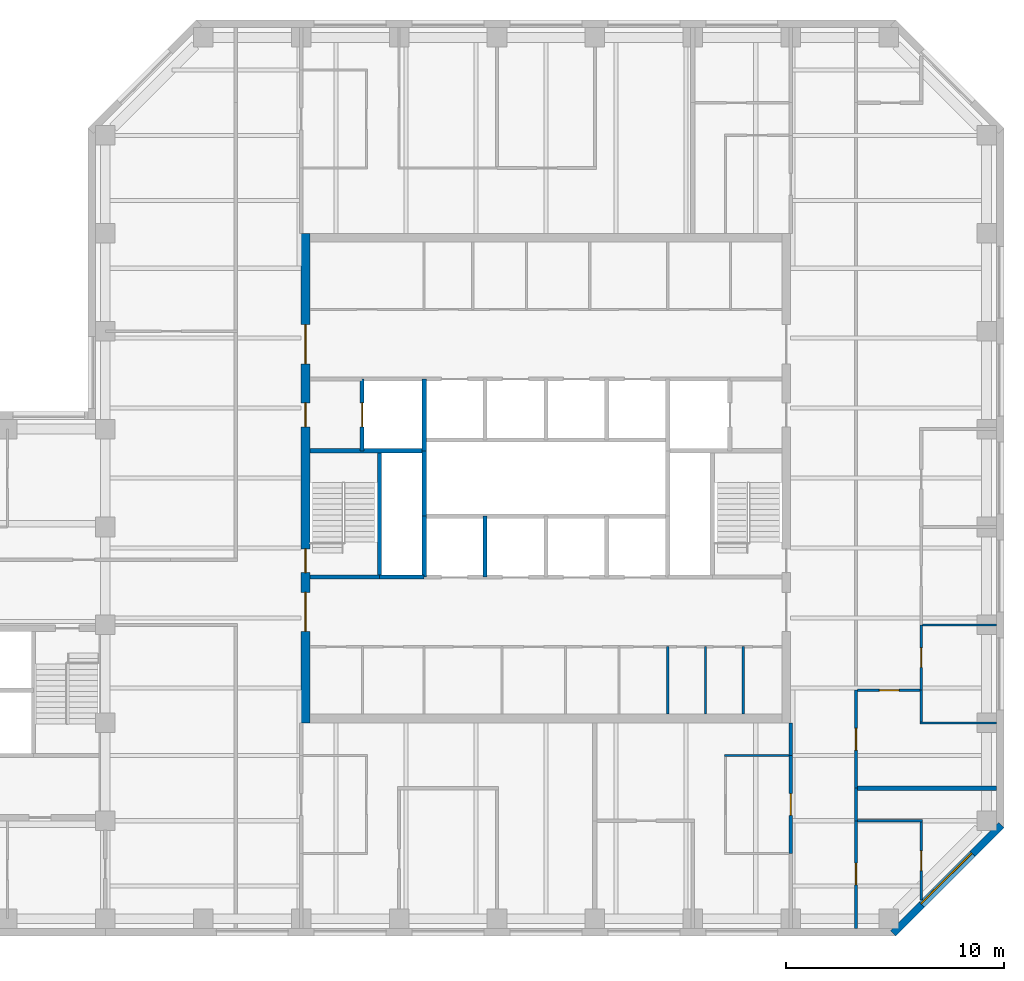
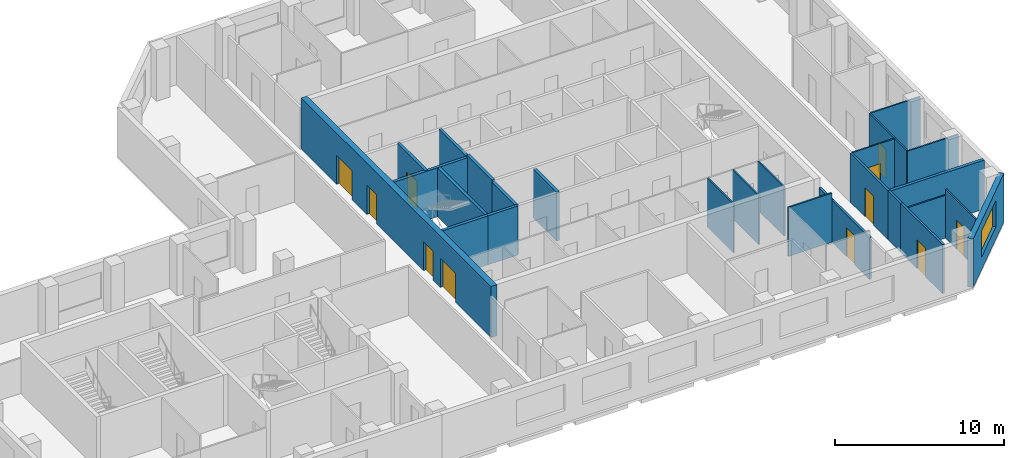
# One storey, part 5 of 9: 28 walls, 11 doors, 1 window, 12 openings.
"""IFC4 building model written with IfcOpenShell, lengths in metres."""

import ifcopenshell
import ifcopenshell.guid

model = None  # the IFC model being written
_history = None  # IfcOwnerHistory: only IFC2X3 demands one
_inside = {}  # id of a spatial element -> (the spatial element, [elements in it])
_under = {}  # id of a project, library or spatial element -> (it, [spatial elements below it])
_declared = {}  # id of a project -> (the project, [libraries it declares])
_typed = {}  # id of a type object -> (the type object, [elements of that type])
_made_of = {}  # id of a material, layer set ... -> (it, [elements and type objects made of it])


def new_model(schema):
    """Start an empty IFC model of exactly this schema.

    Asked for "IFC4X3", IfcOpenShell would pick the latest addendum, in which some entities
    have other attributes; the version numbers below select the first issue.
    IFC2X3 requires an IfcOwnerHistory on every rooted entity: one is made here for all.
    """
    global model, _history
    if schema == "IFC4X3":
        model = ifcopenshell.file(schema_version=(4, 3, 0, 0))
    else:
        model = ifcopenshell.file(schema=schema)
    _inside.clear()
    _under.clear()
    _declared.clear()
    _typed.clear()
    _made_of.clear()
    _history = None
    if model.schema == "IFC2X3":
        org = make("IfcOrganization", Name="unknown")
        user = make(
            "IfcPersonAndOrganization",
            ThePerson=make("IfcPerson", FamilyName="unknown"),
            TheOrganization=org,
        )
        app = make(
            "IfcApplication",
            ApplicationDeveloper=org,
            Version="unknown",
            ApplicationFullName="unknown",
            ApplicationIdentifier="unknown",
        )
        _history = make(
            "IfcOwnerHistory",
            OwningUser=user,
            OwningApplication=app,
            ChangeAction="ADDED",
            CreationDate=0,
        )
    return model


def make(cls, **values):
    """One entity of the class cls with the attributes given. An attribute that is None is left unset."""
    return model.create_entity(
        cls, **{name: value for name, value in values.items() if value is not None}
    )


def rooted(cls, **values):
    """An entity with a GlobalId (a new one), such as an element, a storey or a relation."""
    return make(cls, GlobalId=ifcopenshell.guid.new(), OwnerHistory=_history, **values)


def si_unit(unit_type, name, prefix=None):
    """IfcSIUnit, for example si_unit("LENGTHUNIT", "METRE", prefix="MILLI")."""
    return make("IfcSIUnit", UnitType=unit_type, Prefix=prefix, Name=name)


def assignment(units):
    """IfcUnitAssignment: the units of a project."""
    return None if units is None else make("IfcUnitAssignment", Units=units)


def point(xyz):
    """IfcCartesianPoint."""
    return None if xyz is None else make("IfcCartesianPoint", Coordinates=xyz)


def direction(xyz):
    """IfcDirection."""
    return None if xyz is None else make("IfcDirection", DirectionRatios=xyz)


def frame(location, z_axis=None, x_axis=None):
    """IfcAxis2Placement3D, a coordinate frame: its origin and axes. An axis left out is left unset."""
    return make(
        "IfcAxis2Placement3D",
        Location=point(location),
        Axis=direction(z_axis),
        RefDirection=direction(x_axis),
    )


def frame_2d(location, x_axis=None):
    """IfcAxis2Placement2D, a coordinate frame in the plane: its origin and x axis."""
    return make(
        "IfcAxis2Placement2D", Location=point(location), RefDirection=direction(x_axis)
    )


def origin():
    """The frame at (0, 0, 0) with its axes left unset."""
    return frame((0.0, 0.0, 0.0))


def place(relative_to, where):
    """IfcLocalPlacement: puts the frame where relative to a parent placement (None: the world)."""
    return make(
        "IfcLocalPlacement", PlacementRelTo=relative_to, RelativePlacement=where
    )


def context(
    kind, dimensions, precision=None, world=None, true_north=None, identifier=None
):
    """IfcGeometricRepresentationContext, for example the 3D "Model" context."""
    return make(
        "IfcGeometricRepresentationContext",
        ContextIdentifier=identifier,
        ContextType=kind,
        CoordinateSpaceDimension=dimensions,
        Precision=precision,
        WorldCoordinateSystem=world,
        TrueNorth=true_north,
    )


def subcontext(parent, identifier, kind, view, scale=None):
    """IfcGeometricRepresentationSubContext, for example "Body" below "Model"."""
    return make(
        "IfcGeometricRepresentationSubContext",
        ContextIdentifier=identifier,
        ContextType=kind,
        ParentContext=parent,
        TargetScale=scale,
        TargetView=view,
    )


def project(units=None, contexts=None):
    """IfcProject with its units and contexts."""
    return rooted(
        "IfcProject",
        Name="project",
        RepresentationContexts=contexts,
        UnitsInContext=assignment(units),
    )


def spatial(cls, under=None, at=None, **own):
    """A site, building, storey or space (cls), placed at a placement, below another one or the project."""
    s = rooted(cls, ObjectPlacement=at, **own)
    if under is not None:
        _under.setdefault(under.id(), (under, []))[1].append(s)
    return s


def profile(cls, at=None, kind="AREA", **sizes):
    """A parametric profile (cls). Its sizes go by their IFC names, for example OverallWidth=200.0."""
    return make(cls, ProfileType=kind, Position=at, **sizes)


def rectangle(**sizes):
    """IfcRectangleProfileDef."""
    return profile("IfcRectangleProfileDef", **sizes)


def extrude(swept, where, along, depth):
    """IfcExtrudedAreaSolid: the profile swept, set in the frame where, extruded along a direction by depth."""
    return make(
        "IfcExtrudedAreaSolid",
        SweptArea=swept,
        Position=where,
        ExtrudedDirection=direction(along),
        Depth=depth,
    )


def shape(context_of_items, identifier, shape_type, items):
    """IfcShapeRepresentation: the items that make up one representation, for example the "Body"."""
    return make(
        "IfcShapeRepresentation",
        ContextOfItems=context_of_items,
        RepresentationIdentifier=identifier,
        RepresentationType=shape_type,
        Items=items,
    )


def material(Name=None, Category=None):
    """IfcMaterial."""
    return make("IfcMaterial", Name=Name, Category=Category)


def layer(
    of_material, thickness, ventilated=None, Name=None, Category=None, Priority=None
):
    """IfcMaterialLayer: one layer of a wall or slab, of a material (None: an air gap)."""
    return make(
        "IfcMaterialLayer",
        Material=of_material,
        LayerThickness=thickness,
        IsVentilated=ventilated,
        Name=Name,
        Category=Category,
        Priority=Priority,
    )


def layer_set(layers, Name=None):
    """IfcMaterialLayerSet."""
    return make("IfcMaterialLayerSet", MaterialLayers=layers, LayerSetName=Name)


def constituent(of_material, Name=None, Category=None, fraction=None):
    """IfcMaterialConstituent: one of the materials an element consists of."""
    return make(
        "IfcMaterialConstituent",
        Name=Name,
        Material=of_material,
        Fraction=fraction,
        Category=Category,
    )


def constituent_set(constituents=None, Name=None):
    """IfcMaterialConstituentSet."""
    return make(
        "IfcMaterialConstituentSet", Name=Name, MaterialConstituents=constituents
    )


def made_of(thing, what):
    """Note that an element or type object is made of a material, layer set ...; save() writes the relation."""
    if what is not None:
        _made_of.setdefault(what.id(), (what, []))[1].append(thing)
    return thing


def type_object(cls, material=None, **own):
    """A type object (cls), such as IfcWallType, which elements share."""
    return made_of(rooted(cls, **own), material)


def element(
    cls,
    number,
    at=None,
    inside=None,
    cuts=None,
    type_object=None,
    material=None,
    context=None,
    identifier="Body",
    shape_type=None,
    held_by="IfcProductDefinitionShape",
    body=None,
    shapes=None,
    **own,
):
    """One element of the class cls, such as IfcWall. Its Tag is "e" and its number.

    at: its placement. inside: the storey or other place that contains it. cuts: it is an
    opening in that element (IfcRelVoidsElement). A single representation is given by context,
    identifier, shape_type and body (its items); several are given by shapes. held_by: the class
    of the entity that holds the representations. save() writes the other relations.
    """
    e = rooted(cls, Tag="e%d" % number, ObjectPlacement=at, **own)
    if body is not None:
        shapes = [shape(context, identifier, shape_type, body)]
    if shapes is not None:
        e.Representation = make(held_by, Representations=shapes)
    if inside is not None:
        _inside.setdefault(inside.id(), (inside, []))[1].append(e)
    if cuts is not None:
        rooted(
            "IfcRelVoidsElement", RelatingBuildingElement=cuts, RelatedOpeningElement=e
        )
    if type_object is not None:
        _typed.setdefault(type_object.id(), (type_object, []))[1].append(e)
    return made_of(e, material)


def fill(opening, filler):
    """IfcRelFillsElement: the door or window that sits in an opening."""
    return rooted(
        "IfcRelFillsElement",
        RelatingOpeningElement=opening,
        RelatedBuildingElement=filler,
    )


def aggregate(whole, parts):
    """IfcRelAggregates: a whole, such as a stair, and the parts it consists of."""
    return rooted("IfcRelAggregates", RelatingObject=whole, RelatedObjects=parts)


def save(model, path):
    """Write the relations noted so far, then the file.

    IfcRelAggregates (storeys below a building ...), IfcRelContainedInSpatialStructure (elements
    in a storey), IfcRelDefinesByType, IfcRelAssociatesMaterial and IfcRelDeclares: one each for
    every whole, place, type object, material and project.
    """
    for whole, parts in _under.values():
        aggregate(whole, parts)
    for where, things in _inside.values():
        rooted(
            "IfcRelContainedInSpatialStructure",
            RelatedElements=things,
            RelatingStructure=where,
        )
    for kind, things in _typed.values():
        rooted("IfcRelDefinesByType", RelatedObjects=things, RelatingType=kind)
    for what, things in _made_of.values():
        rooted("IfcRelAssociatesMaterial", RelatedObjects=things, RelatingMaterial=what)
    for by, libraries in _declared.values():
        rooted("IfcRelDeclares", RelatingContext=by, RelatedDefinitions=libraries)
    model.write(path)


model = new_model("IFC4")

# Units and contexts
model_context = context("Model", 3, precision=1e-05, world=origin(), true_north=direction((0.0, 1.0)))
body_context = subcontext(model_context, "Body", "Model", "MODEL_VIEW")
ifc_project = project(units=[si_unit("LENGTHUNIT", "METRE"), si_unit("AREAUNIT", "SQUARE_METRE"), si_unit("VOLUMEUNIT", "CUBIC_METRE"), si_unit("PLANEANGLEUNIT", "RADIAN"), si_unit("MASSUNIT", "GRAM", prefix="KILO")], contexts=[model_context])

# Site, building, storey
site_placement = place(None, origin())
site = spatial("IfcSite", under=ifc_project, at=site_placement, CompositionType="ELEMENT")
building_placement = place(site_placement, origin())
building = spatial("IfcBuilding", under=site, at=building_placement, Name="Quoin Convention Tower", CompositionType="ELEMENT")
storey_placement = place(building_placement, frame((0.0, 0.0, 162.5)))
storey = spatial("IfcBuildingStorey", under=building, at=storey_placement, Name="L42", CompositionType="ELEMENT", Elevation=162.5)

# Wall, opening, window
ifc_material_1 = material(Name="Brick masonry", Category="masonry")
ifc_layer_1 = layer(ifc_material_1, 0.35009765625)
ifc_layer_set_1 = layer_set([ifc_layer_1], Name="Brick masonry")
wall_type_1 = type_object("IfcWallType", Name="Brick facade wall", PredefinedType="STANDARD", material=ifc_layer_set_1)
wall_1_placement = place(storey_placement, frame((72.20751953125, 39.82373046875, 0.0), z_axis=(0.0, 0.0, 1.0), x_axis=(0.707106781187, 0.707106781187, 0.0)))
wall_1 = element("IfcWall", 1, at=wall_1_placement, inside=storey, type_object=wall_type_1, Name="fw-L42-72000_40500", PredefinedType="STANDARD", context=body_context, shape_type="SweptSolid", body=[
    extrude(rectangle(XDim=7.02685546875, YDim=0.35009765625, at=frame_2d((3.513427734375, 0.0))), origin(), (0.0, 0.0, 1.0), 3.52490234375),
])
opening_1_placement = place(wall_1_placement, frame((1.86328125, 0.0, 0.89990234375)))
opening_1 = element("IfcOpeningElement", 2, at=opening_1_placement, cuts=wall_1, Name="Opening W-02", PredefinedType="OPENING", context=body_context, shape_type="SweptSolid", body=[
    extrude(rectangle(XDim=3.300048828125, YDim=1.89990234375, at=frame_2d((1.64990234375, 0.949951171875))), frame((0.0, 0.18505859375, 0.0), z_axis=(0.0, -1.0, 0.0), x_axis=(1.0, 0.0, 0.0)), (0.0, 0.0, 1.0), 0.3701171875),
])
ifc_material_2 = material(Name="Aluminium", Category="aluminium")
ifc_constituent_1 = constituent(ifc_material_2, Name="Frame")
ifc_material_3 = material(Name="Insulated glass", Category="glass")
ifc_constituent_2 = constituent(ifc_material_3, Name="Glazing")
ifc_constituent_set = constituent_set(constituents=[ifc_constituent_1, ifc_constituent_2], Name="Aluminium")
window_type = type_object("IfcWindowType", Name="Office window", PartitioningType="DOUBLE_PANEL_VERTICAL", PredefinedType="WINDOW", material=ifc_constituent_set)
window_placement = place(opening_1_placement, origin())
window = element("IfcWindow", 3, at=window_placement, inside=storey, type_object=window_type, Name="win-L42-74692_42308", OverallHeight=1.89990234375, OverallWidth=3.300048828125, PartitioningType="SINGLE_PANEL", PredefinedType="WINDOW", context=body_context, shape_type="SweptSolid", body=[
    extrude(rectangle(XDim=3.300048828125, YDim=1.89990234375, at=frame_2d((1.64990234375, 0.949951171875))), frame((0.0, 0.0849609375, 0.0), z_axis=(0.0, -1.0, 0.0), x_axis=(1.0, 0.0, 0.0)), (0.0, 0.0, 1.0), 0.06005859375),
])
fill(opening_1, window)

# Walls
ifc_material_4 = material(Name="Plasterboard")
ifc_layer_2 = layer(ifc_material_4, 0.012451171875, Name="Finish")
ifc_material_5 = material(Name="Steel stud framing", Category="steel")
ifc_layer_3 = layer(ifc_material_5, 0.074951171875, Name="Structure")
ifc_layer_4 = layer(ifc_material_4, 0.012451171875, Name="Finish")
ifc_layer_set_2 = layer_set([ifc_layer_2, ifc_layer_3, ifc_layer_4], Name="Steel stud framing")
wall_type_2 = type_object("IfcWallType", Name="Core partition wall", PredefinedType="PARTITIONING", material=ifc_layer_set_2)
for number, where, z_axis, x_axis, name in (
    (4, (61.85009765625, 49.89990234375, 0.0), (0.0, 0.0, 1.0), (0.0, 1.0, 0.0), "cr-C1-L42-v16850_400"),
    (5, (63.58251953125, 49.89990234375, 0.0), (0.0, 0.0, 1.0), (0.0, 1.0, 0.0), "cr-C1-L42-v18582_400"),
    (6, (65.31494140625, 49.89990234375, 0.0), (0.0, 0.0, 1.0), (0.0, 1.0, 0.0), "cr-C1-L42-v20315_400"),
):
    element("IfcWall", number, at=place(storey_placement, frame(where, z_axis=z_axis, x_axis=x_axis)), inside=storey, type_object=wall_type_2, Name=name, PredefinedType="PARTITIONING", context=body_context, shape_type="SweptSolid", body=[
        extrude(rectangle(XDim=3.10009765625, YDim=0.10009765625, at=frame_2d((1.550048828125, 0.0))), origin(), (0.0, 0.0, 1.0), 3.550048828125),
    ])
ifc_material_6 = material(Name="Concrete C50", Category="concrete")
ifc_layer_5 = layer(ifc_material_6, 0.199951171875)
ifc_layer_set_3 = layer_set([ifc_layer_5], Name="Concrete C50")
wall_type_3 = type_object("IfcWallType", Name="Core shaft wall", PredefinedType="SOLIDWALL", material=ifc_layer_set_3)
wall_2_placement = place(storey_placement, frame((48.60009765625, 56.199951171875, 0.0), z_axis=(0.0, 0.0, 1.0), x_axis=(1.0, 0.0, 0.0)))
element("IfcWall", 7, at=wall_2_placement, inside=storey, type_object=wall_type_3, Name="cr-C1-L42-h6700_3600", PredefinedType="SOLIDWALL", context=body_context, shape_type="SweptSolid", body=[
    extrude(rectangle(XDim=2.0498046875, YDim=0.199951171875, at=frame_2d((1.02490234375, 0.0))), origin(), (0.0, 0.0, 1.0), 3.550048828125),
])
wall_3_placement = place(storey_placement, frame((45.39990234375, 56.199951171875, 0.0), z_axis=(0.0, 0.0, 1.0), x_axis=(1.0, 0.0, 0.0)))
element("IfcWall", 8, at=wall_3_placement, inside=storey, type_object=wall_type_3, Name="cr-C1-L42-h6700_400", PredefinedType="SOLIDWALL", context=body_context, shape_type="SweptSolid", body=[
    extrude(rectangle(XDim=3.2001953125, YDim=0.199951171875, at=frame_2d((1.60009765625, 0.0))), origin(), (0.0, 0.0, 1.0), 3.550048828125),
])
wall_4_placement = place(storey_placement, frame((45.39990234375, 62.0, 0.0), z_axis=(0.0, 0.0, 1.0), x_axis=(1.0, 0.0, 0.0)))
element("IfcWall", 9, at=wall_4_placement, inside=storey, type_object=wall_type_3, Name="cr-C1-L42-h12500_400", PredefinedType="SOLIDWALL", context=body_context, shape_type="SweptSolid", body=[
    extrude(rectangle(XDim=5.25, YDim=0.199951171875, at=frame_2d((2.625, 0.0))), origin(), (0.0, 0.0, 1.0), 3.550048828125),
])

# Wall, opening, door
wall_5_placement = place(storey_placement, frame((47.800048828125, 62.0, 0.0), z_axis=(0.0, 0.0, 1.0), x_axis=(0.0, 1.0, 0.0)))
wall_5 = element("IfcWall", 10, at=wall_5_placement, inside=storey, type_object=wall_type_3, Name="cr-C1-L42-v2800_12500", PredefinedType="SOLIDWALL", context=body_context, shape_type="SweptSolid", body=[
    extrude(rectangle(XDim=3.300048828125, YDim=0.199951171875, at=frame_2d((1.64990234375, 0.0))), origin(), (0.0, 0.0, 1.0), 3.550048828125),
])
opening_2_placement = place(wall_5_placement, frame((1.10009765625, 0.0, 0.0)))
opening_2 = element("IfcOpeningElement", 11, at=opening_2_placement, cuts=wall_5, Name="Opening LDFL1", PredefinedType="OPENING", context=body_context, shape_type="SweptSolid", body=[
    extrude(rectangle(XDim=1.10009765625, YDim=2.10009765625, at=frame_2d((0.550048828125, 1.050048828125))), frame((0.0, 0.10986328125, 0.0), z_axis=(0.0, -1.0, 0.0), x_axis=(1.0, 0.0, 0.0)), (0.0, 0.0, 1.0), 0.219970703125),
])
ifc_material_7 = material(Name="Steel door leaf", Category="steel")
door_type_1 = type_object("IfcDoorType", Name="Lift landing door 1100 x 2100", OperationType="DOUBLE_DOOR_SLIDING", PredefinedType="DOOR", material=ifc_material_7)
door_1_placement = place(opening_2_placement, origin())
door_1 = element("IfcDoor", 12, at=door_1_placement, inside=storey, type_object=door_type_1, Name="cd-C1-L42-FLW-FFW-LDFL1", OperationType="DOUBLE_DOOR_SLIDING", OverallHeight=2.10009765625, OverallWidth=1.10009765625, PredefinedType="DOOR", context=body_context, shape_type="SweptSolid", body=[
    extrude(rectangle(XDim=1.10009765625, YDim=2.10009765625, at=frame_2d((0.550048828125, 1.050048828125))), frame((0.0, 0.02490234375, 0.0), z_axis=(0.0, -1.0, 0.0), x_axis=(1.0, 0.0, 0.0)), (0.0, 0.0, 1.0), 0.050048828125),
])
fill(opening_2, door_1)

# Walls
wall_6_placement = place(storey_placement, frame((48.60009765625, 56.199951171875, 0.0), z_axis=(0.0, 0.0, 1.0), x_axis=(0.0, 1.0, 0.0)))
element("IfcWall", 13, at=wall_6_placement, inside=storey, type_object=wall_type_3, Name="cr-C1-L42-v3600_6700", PredefinedType="SOLIDWALL", context=body_context, shape_type="SweptSolid", body=[
    extrude(rectangle(XDim=5.800048828125, YDim=0.199951171875, at=frame_2d((2.89990234375, 0.0))), origin(), (0.0, 0.0, 1.0), 3.550048828125),
])
wall_7_placement = place(storey_placement, frame((50.64990234375, 56.199951171875, 0.0), z_axis=(0.0, 0.0, 1.0), x_axis=(0.0, 1.0, 0.0)))
element("IfcWall", 14, at=wall_7_placement, inside=storey, type_object=wall_type_3, Name="cr-C1-L42-v5650_6700", PredefinedType="SOLIDWALL", context=body_context, shape_type="SweptSolid", body=[
    extrude(rectangle(XDim=2.800048828125, YDim=0.199951171875, at=frame_2d((1.39990234375, 0.0))), origin(), (0.0, 0.0, 1.0), 3.550048828125),
])
wall_8_placement = place(storey_placement, frame((50.64990234375, 62.0, 0.0), z_axis=(0.0, 0.0, 1.0), x_axis=(0.0, 1.0, 0.0)))
element("IfcWall", 15, at=wall_8_placement, inside=storey, type_object=wall_type_3, Name="cr-C1-L42-v5650_12500", PredefinedType="SOLIDWALL", context=body_context, shape_type="SweptSolid", body=[
    extrude(rectangle(XDim=3.300048828125, YDim=0.199951171875, at=frame_2d((1.64990234375, 0.0))), origin(), (0.0, 0.0, 1.0), 3.550048828125),
])
wall_9_placement = place(storey_placement, frame((53.449951171875, 56.199951171875, 0.0), z_axis=(0.0, 0.0, 1.0), x_axis=(0.0, 1.0, 0.0)))
element("IfcWall", 16, at=wall_9_placement, inside=storey, type_object=wall_type_3, Name="cr-C1-L42-v8450_6700", PredefinedType="SOLIDWALL", context=body_context, shape_type="SweptSolid", body=[
    extrude(rectangle(XDim=2.800048828125, YDim=0.199951171875, at=frame_2d((1.39990234375, 0.0))), origin(), (0.0, 0.0, 1.0), 3.550048828125),
])
ifc_layer_6 = layer(ifc_material_6, 0.199951171875)
ifc_layer_set_4 = layer_set([ifc_layer_6], Name="Concrete C50")
wall_type_4 = type_object("IfcWallType", Name="Core shaft wall to the floor level over", PredefinedType="SOLIDWALL", material=ifc_layer_set_4)
wall_10_placement = place(storey_placement, frame((50.64990234375, 59.0, 0.0), z_axis=(0.0, 0.0, 1.0), x_axis=(0.0, 1.0, 0.0)))
element("IfcWall", 17, at=wall_10_placement, inside=storey, type_object=wall_type_4, Name="cr-C1-L42-v5650_9500", PredefinedType="SOLIDWALL", context=body_context, shape_type="SweptSolid", body=[
    extrude(rectangle(XDim=3.0, YDim=0.199951171875, at=frame_2d((1.5, 0.0))), origin(), (0.0, 0.0, 1.0), 3.699951171875),
])

# Wall, opening, door
ifc_layer_7 = layer(ifc_material_4, 0.012451171875, Name="Finish")
ifc_layer_8 = layer(ifc_material_5, 0.125, Name="Structure")
ifc_layer_9 = layer(ifc_material_4, 0.012451171875, Name="Finish")
ifc_layer_set_5 = layer_set([ifc_layer_7, ifc_layer_8, ifc_layer_9], Name="Steel stud framing")
wall_type_5 = type_object("IfcWallType", Name="Corridor wall 150", PredefinedType="PARTITIONING", material=ifc_layer_set_5)
wall_11_placement = place(storey_placement, frame((70.5, 40.050048828125, 0.0), z_axis=(0.0, 0.0, 1.0), x_axis=(0.0, 1.0, 0.0)))
wall_11 = element("IfcWall", 18, at=wall_11_placement, inside=storey, type_object=wall_type_5, Name="pw-L42-044", PredefinedType="PARTITIONING", context=body_context, shape_type="SweptSolid", body=[
    extrude(rectangle(XDim=4.949951171875, YDim=0.14990234375, at=frame_2d((2.47509765625, 0.0))), origin(), (0.0, 0.0, 1.0), 3.550048828125),
])
opening_3_placement = place(wall_11_placement, frame((2.0, 0.0, 0.0)))
opening_3 = element("IfcOpeningElement", 19, at=opening_3_placement, cuts=wall_11, Name="Opening DOH3-09", PredefinedType="OPENING", context=body_context, shape_type="SweptSolid", body=[
    extrude(rectangle(XDim=1.0, YDim=2.10009765625, at=frame_2d((0.5, 1.050048828125))), frame((0.0, 0.0849609375, 0.0), z_axis=(0.0, -1.0, 0.0), x_axis=(1.0, 0.0, 0.0)), (0.0, 0.0, 1.0), 0.169921875),
])
door_type_2 = type_object("IfcDoorType", Name="Tenancy entrance door 1000 x 2100", OperationType="DOUBLE_DOOR_SINGLE_SWING", PredefinedType="DOOR", material=ifc_material_7)
door_2_placement = place(opening_3_placement, frame((1.0, 0.0, 0.0), z_axis=(0.0, 0.0, 1.0), x_axis=(-1.0, 0.0, 0.0)))
door_2 = element("IfcDoor", 20, at=door_2_placement, inside=storey, type_object=door_type_2, Name="dr-L42-21", OperationType="DOUBLE_DOOR_SINGLE_SWING", OverallHeight=2.10009765625, OverallWidth=1.0, PredefinedType="DOOR", context=body_context, shape_type="SweptSolid", body=[
    extrude(rectangle(XDim=1.0, YDim=2.10009765625, at=frame_2d((0.5, 1.050048828125))), frame((0.0, 0.02490234375, 0.0), z_axis=(0.0, -1.0, 0.0), x_axis=(1.0, 0.0, 0.0)), (0.0, 0.0, 1.0), 0.050048828125),
])
fill(opening_3, door_2)

# Wall
wall_12_placement = place(storey_placement, frame((70.5, 45.0, 0.0), z_axis=(0.0, 0.0, 1.0), x_axis=(0.0, 1.0, 0.0)))
element("IfcWall", 21, at=wall_12_placement, inside=storey, type_object=wall_type_5, Name="pw-L42-053", PredefinedType="PARTITIONING", context=body_context, shape_type="SweptSolid", body=[
    extrude(rectangle(XDim=1.5, YDim=0.14990234375, at=frame_2d((0.75, 0.0))), origin(), (0.0, 0.0, 1.0), 3.550048828125),
])

# Wall, opening, door
wall_13_placement = place(storey_placement, frame((70.5, 46.5, 0.0), z_axis=(0.0, 0.0, 1.0), x_axis=(0.0, 1.0, 0.0)))
wall_13 = element("IfcWall", 22, at=wall_13_placement, inside=storey, type_object=wall_type_5, Name="pw-L42-056", PredefinedType="PARTITIONING", context=body_context, shape_type="SweptSolid", body=[
    extrude(rectangle(XDim=4.5, YDim=0.14990234375, at=frame_2d((2.25, 0.0))), origin(), (0.0, 0.0, 1.0), 3.550048828125),
])
opening_4_placement = place(wall_13_placement, frame((1.75, 0.0, 0.0)))
opening_4 = element("IfcOpeningElement", 23, at=opening_4_placement, cuts=wall_13, Name="Opening DOH3-16", PredefinedType="OPENING", context=body_context, shape_type="SweptSolid", body=[
    extrude(rectangle(XDim=1.0, YDim=2.10009765625, at=frame_2d((0.5, 1.050048828125))), frame((0.0, 0.0849609375, 0.0), z_axis=(0.0, -1.0, 0.0), x_axis=(1.0, 0.0, 0.0)), (0.0, 0.0, 1.0), 0.169921875),
])
door_3_placement = place(opening_4_placement, frame((1.0, 0.0, 0.0), z_axis=(0.0, 0.0, 1.0), x_axis=(-1.0, 0.0, 0.0)))
door_3 = element("IfcDoor", 24, at=door_3_placement, inside=storey, type_object=door_type_2, Name="dr-L42-23", OperationType="DOUBLE_DOOR_SINGLE_SWING", OverallHeight=2.10009765625, OverallWidth=1.0, PredefinedType="DOOR", context=body_context, shape_type="SweptSolid", body=[
    extrude(rectangle(XDim=1.0, YDim=2.10009765625, at=frame_2d((0.5, 1.050048828125))), frame((0.0, 0.02490234375, 0.0), z_axis=(0.0, -1.0, 0.0), x_axis=(1.0, 0.0, 0.0)), (0.0, 0.0, 1.0), 0.050048828125),
])
fill(opening_4, door_3)

ifc_layer_10 = layer(ifc_material_4, 0.012451171875, Name="Finish")
ifc_layer_11 = layer(ifc_material_5, 0.125, Name="Structure")
ifc_layer_12 = layer(ifc_material_4, 0.012451171875, Name="Finish")
ifc_layer_set_6 = layer_set([ifc_layer_10, ifc_layer_11, ifc_layer_12], Name="Steel stud framing")
wall_type_6 = type_object("IfcWallType", Name="Corridor wall 150 under beam 528", PredefinedType="PARTITIONING", material=ifc_layer_set_6)
wall_14_placement = place(storey_placement, frame((67.5, 43.5, 0.0), z_axis=(0.0, 0.0, 1.0), x_axis=(0.0, 1.0, 0.0)))
wall_14 = element("IfcWall", 25, at=wall_14_placement, inside=storey, type_object=wall_type_6, Name="pw-L42-048", PredefinedType="PARTITIONING", context=body_context, shape_type="SweptSolid", body=[
    extrude(rectangle(XDim=4.5, YDim=0.14990234375, at=frame_2d((2.25, 0.0))), origin(), (0.0, 0.0, 1.0), 3.02197265625),
])
opening_5_placement = place(wall_14_placement, frame((1.75, 0.0, 0.0)))
opening_5 = element("IfcOpeningElement", 26, at=opening_5_placement, cuts=wall_14, Name="Opening DOH3-13", PredefinedType="OPENING", context=body_context, shape_type="SweptSolid", body=[
    extrude(rectangle(XDim=1.0, YDim=2.10009765625, at=frame_2d((0.5, 1.050048828125))), frame((0.0, 0.0849609375, 0.0), z_axis=(0.0, -1.0, 0.0), x_axis=(1.0, 0.0, 0.0)), (0.0, 0.0, 1.0), 0.169921875),
])
door_4_placement = place(opening_5_placement, origin())
door_4 = element("IfcDoor", 27, at=door_4_placement, inside=storey, type_object=door_type_2, Name="dr-L42-11", OperationType="DOUBLE_DOOR_SINGLE_SWING", OverallHeight=2.10009765625, OverallWidth=1.0, PredefinedType="DOOR", context=body_context, shape_type="SweptSolid", body=[
    extrude(rectangle(XDim=1.0, YDim=2.10009765625, at=frame_2d((0.5, 1.050048828125))), frame((0.0, 0.02490234375, 0.0), z_axis=(0.0, -1.0, 0.0), x_axis=(1.0, 0.0, 0.0)), (0.0, 0.0, 1.0), 0.050048828125),
])
fill(opening_5, door_4)

# Wall
wall_15_placement = place(storey_placement, frame((67.5, 48.0, 0.0), z_axis=(0.0, 0.0, 1.0), x_axis=(0.0, 1.0, 0.0)))
element("IfcWall", 28, at=wall_15_placement, inside=storey, type_object=wall_type_6, Name="pw-L42-059", PredefinedType="PARTITIONING", context=body_context, shape_type="SweptSolid", body=[
    extrude(rectangle(XDim=1.5, YDim=0.14990234375, at=frame_2d((0.75, 0.0))), origin(), (0.0, 0.0, 1.0), 3.02197265625),
])

# Wall, openings, doors
ifc_layer_13 = layer(ifc_material_6, 0.39990234375)
ifc_layer_set_7 = layer_set([ifc_layer_13], Name="Concrete C50")
wall_type_7 = type_object("IfcWallType", Name="RC CORE WALL 400 C50", PredefinedType="SHEAR", material=ifc_layer_set_7)
wall_16_placement = place(storey_placement, frame((45.199951171875, 49.5, 0.0), z_axis=(0.0, 0.0, 1.0), x_axis=(0.0, 1.0, 0.0)))
wall_16 = element("IfcWall", 29, at=wall_16_placement, inside=storey, type_object=wall_type_7, Name="cwl-C1-L42-W", PredefinedType="SHEAR", context=body_context, shape_type="SweptSolid", body=[
    extrude(rectangle(XDim=22.5, YDim=0.39990234375, at=frame_2d((11.25, 0.0))), origin(), (0.0, 0.0, 1.0), 3.699951171875),
])
opening_6_placement = place(wall_16_placement, frame((4.199951171875, 0.0, 0.0)))
opening_6 = element("IfcOpeningElement", 30, at=opening_6_placement, cuts=wall_16, Name="Opening DCV2-40", PredefinedType="OPENING", context=body_context, shape_type="SweptSolid", body=[
    extrude(rectangle(XDim=1.800048828125, YDim=2.10009765625, at=frame_2d((0.89990234375, 1.050048828125))), frame((0.0, 0.2099609375, 0.0), z_axis=(0.0, -1.0, 0.0), x_axis=(1.0, 0.0, 0.0)), (0.0, 0.0, 1.0), 0.419921875),
])
opening_7_placement = place(wall_16_placement, frame((6.89990234375, 0.0, 0.0)))
opening_7 = element("IfcOpeningElement", 31, at=opening_7_placement, cuts=wall_16, Name="Opening SD1", PredefinedType="OPENING", context=body_context, shape_type="SweptSolid", body=[
    extrude(rectangle(XDim=1.10009765625, YDim=2.10009765625, at=frame_2d((0.550048828125, 1.050048828125))), frame((0.0, 0.2099609375, 0.0), z_axis=(0.0, -1.0, 0.0), x_axis=(1.0, 0.0, 0.0)), (0.0, 0.0, 1.0), 0.419921875),
])
opening_8_placement = place(wall_16_placement, frame((13.60009765625, 0.0, 0.0)))
opening_8 = element("IfcOpeningElement", 32, at=opening_8_placement, cuts=wall_16, Name="Opening DCV2-39", PredefinedType="OPENING", context=body_context, shape_type="SweptSolid", body=[
    extrude(rectangle(XDim=1.10009765625, YDim=2.10009765625, at=frame_2d((0.550048828125, 1.050048828125))), frame((0.0, 0.2099609375, 0.0), z_axis=(0.0, -1.0, 0.0), x_axis=(1.0, 0.0, 0.0)), (0.0, 0.0, 1.0), 0.419921875),
])
opening_9_placement = place(wall_16_placement, frame((16.5, 0.0, 0.0)))
opening_9 = element("IfcOpeningElement", 33, at=opening_9_placement, cuts=wall_16, Name="Opening DCV2-40", PredefinedType="OPENING", context=body_context, shape_type="SweptSolid", body=[
    extrude(rectangle(XDim=1.800048828125, YDim=2.10009765625, at=frame_2d((0.89990234375, 1.050048828125))), frame((0.0, 0.2099609375, 0.0), z_axis=(0.0, -1.0, 0.0), x_axis=(1.0, 0.0, 0.0)), (0.0, 0.0, 1.0), 0.419921875),
])
door_type_3 = type_object("IfcDoorType", Name="Fire-fighting lobby door 1100 x 2100", OperationType="SINGLE_SWING_LEFT", PredefinedType="DOOR", material=ifc_material_7)
door_5_placement = place(opening_8_placement, frame((1.10009765625, 0.0, 0.0), z_axis=(0.0, 0.0, 1.0), x_axis=(-1.0, 0.0, 0.0)))
door_5 = element("IfcDoor", 34, at=door_5_placement, inside=storey, type_object=door_type_3, Name="cd-C1-L42-FFW-W", OperationType="SINGLE_SWING_LEFT", OverallHeight=2.10009765625, OverallWidth=1.10009765625, PredefinedType="DOOR", context=body_context, shape_type="SweptSolid", body=[
    extrude(rectangle(XDim=1.10009765625, YDim=2.10009765625, at=frame_2d((0.550048828125, 1.050048828125))), frame((0.0, 0.02490234375, 0.0), z_axis=(0.0, -1.0, 0.0), x_axis=(1.0, 0.0, 0.0)), (0.0, 0.0, 1.0), 0.050048828125),
])
fill(opening_8, door_5)
door_type_4 = type_object("IfcDoorType", Name="Lift lobby door 1800 x 2100", OperationType="SINGLE_SWING_LEFT", PredefinedType="DOOR", material=ifc_material_7)
door_6_placement = place(opening_6_placement, frame((1.800048828125, 0.0, 0.0), z_axis=(0.0, 0.0, 1.0), x_axis=(-1.0, 0.0, 0.0)))
door_6 = element("IfcDoor", 35, at=door_6_placement, inside=storey, type_object=door_type_4, Name="cd-C1-L42-lobA-W", OperationType="SINGLE_SWING_LEFT", OverallHeight=2.10009765625, OverallWidth=1.800048828125, PredefinedType="DOOR", context=body_context, shape_type="SweptSolid", body=[
    extrude(rectangle(XDim=1.800048828125, YDim=2.10009765625, at=frame_2d((0.89990234375, 1.050048828125))), frame((0.0, 0.02490234375, 0.0), z_axis=(0.0, -1.0, 0.0), x_axis=(1.0, 0.0, 0.0)), (0.0, 0.0, 1.0), 0.050048828125),
])
fill(opening_6, door_6)
door_7_placement = place(opening_9_placement, frame((1.800048828125, 0.0, 0.0), z_axis=(0.0, 0.0, 1.0), x_axis=(-1.0, 0.0, 0.0)))
door_7 = element("IfcDoor", 36, at=door_7_placement, inside=storey, type_object=door_type_4, Name="cd-C1-L42-lobB-W", OperationType="SINGLE_SWING_LEFT", OverallHeight=2.10009765625, OverallWidth=1.800048828125, PredefinedType="DOOR", context=body_context, shape_type="SweptSolid", body=[
    extrude(rectangle(XDim=1.800048828125, YDim=2.10009765625, at=frame_2d((0.89990234375, 1.050048828125))), frame((0.0, 0.02490234375, 0.0), z_axis=(0.0, -1.0, 0.0), x_axis=(1.0, 0.0, 0.0)), (0.0, 0.0, 1.0), 0.050048828125),
])
fill(opening_9, door_7)
door_type_5 = type_object("IfcDoorType", Name="Stair door 1100 x 2100", OperationType="SINGLE_SWING_RIGHT", PredefinedType="DOOR", material=ifc_material_7)
door_8_placement = place(opening_7_placement, frame((1.10009765625, 0.0, 0.0), z_axis=(0.0, 0.0, 1.0), x_axis=(-1.0, 0.0, 0.0)))
door_8 = element("IfcDoor", 37, at=door_8_placement, inside=storey, type_object=door_type_5, Name="cd-C1-L42-STW-W", OperationType="SINGLE_SWING_RIGHT", OverallHeight=2.10009765625, OverallWidth=1.10009765625, PredefinedType="DOOR", context=body_context, shape_type="SweptSolid", body=[
    extrude(rectangle(XDim=1.10009765625, YDim=2.10009765625, at=frame_2d((0.550048828125, 1.050048828125))), frame((0.0, 0.02490234375, 0.0), z_axis=(0.0, -1.0, 0.0), x_axis=(1.0, 0.0, 0.0)), (0.0, 0.0, 1.0), 0.050048828125),
])
fill(opening_7, door_8)

# Walls
ifc_layer_14 = layer(ifc_material_4, 0.012451171875, Name="Finish")
ifc_layer_15 = layer(ifc_material_5, 0.074951171875, Name="Structure")
ifc_layer_16 = layer(ifc_material_4, 0.012451171875, Name="Finish")
ifc_layer_set_8 = layer_set([ifc_layer_14, ifc_layer_15, ifc_layer_16], Name="Steel stud framing")
wall_type_8 = type_object("IfcWallType", Name="Stud partition 100", PredefinedType="PARTITIONING", material=ifc_layer_set_8)
wall_17_placement = place(storey_placement, frame((64.449951171875, 48.0, 0.0), z_axis=(0.0, 0.0, 1.0), x_axis=(1.0, 0.0, 0.0)))
element("IfcWall", 38, at=wall_17_placement, inside=storey, type_object=wall_type_8, Name="pw-L42-011", PredefinedType="PARTITIONING", context=body_context, shape_type="SweptSolid", body=[
    extrude(rectangle(XDim=2.97509765625, YDim=0.10009765625, at=frame_2d((1.487548828125, 0.0))), origin(), (0.0, 0.0, 1.0), 3.550048828125),
])
wall_18_placement = place(storey_placement, frame((73.449951171875, 49.5, 0.0), z_axis=(0.0, 0.0, 1.0), x_axis=(1.0, 0.0, 0.0)))
element("IfcWall", 39, at=wall_18_placement, inside=storey, type_object=wall_type_8, Name="pw-L42-013", PredefinedType="PARTITIONING", context=body_context, shape_type="SweptSolid", body=[
    extrude(rectangle(XDim=3.5, YDim=0.10009765625, at=frame_2d((1.75, 0.0))), origin(), (0.0, 0.0, 1.0), 3.550048828125),
])

# Wall, opening, door
wall_19_placement = place(storey_placement, frame((70.574951171875, 51.0, 0.0), z_axis=(0.0, 0.0, 1.0), x_axis=(1.0, 0.0, 0.0)))
wall_19 = element("IfcWall", 40, at=wall_19_placement, inside=storey, type_object=wall_type_8, Name="pw-L42-015", PredefinedType="PARTITIONING", context=body_context, shape_type="SweptSolid", body=[
    extrude(rectangle(XDim=2.875, YDim=0.10009765625, at=frame_2d((1.4375, 0.0))), origin(), (0.0, 0.0, 1.0), 3.550048828125),
])
opening_10_placement = place(wall_19_placement, frame((1.0, 0.0, 0.0)))
opening_10 = element("IfcOpeningElement", 41, at=opening_10_placement, cuts=wall_19, Name="Opening DOH3-02", PredefinedType="OPENING", context=body_context, shape_type="SweptSolid", body=[
    extrude(rectangle(XDim=0.89990234375, YDim=2.10009765625, at=frame_2d((0.449951171875, 1.050048828125))), frame((0.0, 0.06005859375, 0.0), z_axis=(0.0, -1.0, 0.0), x_axis=(1.0, 0.0, 0.0)), (0.0, 0.0, 1.0), 0.1201171875),
])
door_type_6 = type_object("IfcDoorType", Name="Office door 900 x 2100", OperationType="SINGLE_SWING_RIGHT", PredefinedType="DOOR", material=ifc_material_7)
door_9_placement = place(opening_10_placement, origin())
door_9 = element("IfcDoor", 42, at=door_9_placement, inside=storey, type_object=door_type_6, Name="dr-L42-24", OperationType="SINGLE_SWING_RIGHT", OverallHeight=2.10009765625, OverallWidth=0.89990234375, PredefinedType="DOOR", context=body_context, shape_type="SweptSolid", body=[
    extrude(rectangle(XDim=0.89990234375, YDim=2.10009765625, at=frame_2d((0.449951171875, 1.050048828125))), frame((0.0, 0.02490234375, 0.0), z_axis=(0.0, -1.0, 0.0), x_axis=(1.0, 0.0, 0.0)), (0.0, 0.0, 1.0), 0.050048828125),
])
fill(opening_10, door_9)

# Wall
wall_20_placement = place(storey_placement, frame((73.550048828125, 54.0, 0.0), z_axis=(0.0, 0.0, 1.0), x_axis=(1.0, 0.0, 0.0)))
element("IfcWall", 43, at=wall_20_placement, inside=storey, type_object=wall_type_8, Name="pw-L42-018", PredefinedType="PARTITIONING", context=body_context, shape_type="SweptSolid", body=[
    extrude(rectangle(XDim=3.39990234375, YDim=0.10009765625, at=frame_2d((1.699951171875, 0.0))), origin(), (0.0, 0.0, 1.0), 3.550048828125),
])

# Wall, opening, door
wall_21_placement = place(storey_placement, frame((73.5, 41.363525390625, 0.0), z_axis=(0.0, 0.0, 1.0), x_axis=(0.0, 1.0, 0.0)))
wall_21 = element("IfcWall", 44, at=wall_21_placement, inside=storey, type_object=wall_type_8, Name="pw-L42-046", PredefinedType="PARTITIONING", context=body_context, shape_type="SweptSolid", body=[
    extrude(rectangle(XDim=3.58642578125, YDim=0.10009765625, at=frame_2d((1.793212890625, 0.0))), origin(), (0.0, 0.0, 1.0), 3.550048828125),
])
opening_11_placement = place(wall_21_placement, frame((1.350341796875, 0.0, 0.0)))
opening_11 = element("IfcOpeningElement", 45, at=opening_11_placement, cuts=wall_21, Name="Opening DOH3-11", PredefinedType="OPENING", context=body_context, shape_type="SweptSolid", body=[
    extrude(rectangle(XDim=0.89990234375, YDim=2.10009765625, at=frame_2d((0.449951171875, 1.050048828125))), frame((0.0, 0.06005859375, 0.0), z_axis=(0.0, -1.0, 0.0), x_axis=(1.0, 0.0, 0.0)), (0.0, 0.0, 1.0), 0.1201171875),
])
door_10_placement = place(opening_11_placement, frame((0.89990234375, 0.0, 0.0), z_axis=(0.0, 0.0, 1.0), x_axis=(-1.0, 0.0, 0.0)))
door_10 = element("IfcDoor", 46, at=door_10_placement, inside=storey, type_object=door_type_6, Name="dr-L42-22", OperationType="SINGLE_SWING_LEFT", OverallHeight=2.10009765625, OverallWidth=0.89990234375, PredefinedType="DOOR", context=body_context, shape_type="SweptSolid", body=[
    extrude(rectangle(XDim=0.89990234375, YDim=2.10009765625, at=frame_2d((0.449951171875, 1.050048828125))), frame((0.0, 0.02490234375, 0.0), z_axis=(0.0, -1.0, 0.0), x_axis=(1.0, 0.0, 0.0)), (0.0, 0.0, 1.0), 0.050048828125),
])
fill(opening_11, door_10)

# Wall
wall_22_placement = place(storey_placement, frame((73.5, 49.550048828125, 0.0), z_axis=(0.0, 0.0, 1.0), x_axis=(0.0, 1.0, 0.0)))
element("IfcWall", 47, at=wall_22_placement, inside=storey, type_object=wall_type_8, Name="pw-L42-061", PredefinedType="PARTITIONING", context=body_context, shape_type="SweptSolid", body=[
    extrude(rectangle(XDim=1.449951171875, YDim=0.10009765625, at=frame_2d((0.72509765625, 0.0))), origin(), (0.0, 0.0, 1.0), 3.550048828125),
])

# Wall, opening, door
wall_23_placement = place(storey_placement, frame((73.5, 51.0, 0.0), z_axis=(0.0, 0.0, 1.0), x_axis=(0.0, 1.0, 0.0)))
wall_23 = element("IfcWall", 48, at=wall_23_placement, inside=storey, type_object=wall_type_8, Name="pw-L42-064", PredefinedType="PARTITIONING", context=body_context, shape_type="SweptSolid", body=[
    extrude(rectangle(XDim=3.0, YDim=0.10009765625, at=frame_2d((1.5, 0.0))), origin(), (0.0, 0.0, 1.0), 3.550048828125),
])
opening_12_placement = place(wall_23_placement, frame((1.050048828125, 0.0, 0.0)))
opening_12 = element("IfcOpeningElement", 49, at=opening_12_placement, cuts=wall_23, Name="Opening DOH3-17", PredefinedType="OPENING", context=body_context, shape_type="SweptSolid", body=[
    extrude(rectangle(XDim=0.89990234375, YDim=2.10009765625, at=frame_2d((0.449951171875, 1.050048828125))), frame((0.0, 0.06005859375, 0.0), z_axis=(0.0, -1.0, 0.0), x_axis=(1.0, 0.0, 0.0)), (0.0, 0.0, 1.0), 0.1201171875),
])
door_11_placement = place(opening_12_placement, origin())
door_11 = element("IfcDoor", 50, at=door_11_placement, inside=storey, type_object=door_type_6, Name="dr-L42-25", OperationType="SINGLE_SWING_RIGHT", OverallHeight=2.10009765625, OverallWidth=0.89990234375, PredefinedType="DOOR", context=body_context, shape_type="SweptSolid", body=[
    extrude(rectangle(XDim=0.89990234375, YDim=2.10009765625, at=frame_2d((0.449951171875, 1.050048828125))), frame((0.0, 0.02490234375, 0.0), z_axis=(0.0, -1.0, 0.0), x_axis=(1.0, 0.0, 0.0)), (0.0, 0.0, 1.0), 0.050048828125),
])
fill(opening_12, door_11)

# Walls
ifc_layer_17 = layer(ifc_material_4, 0.012451171875, Name="Finish")
ifc_layer_18 = layer(ifc_material_5, 0.074951171875, Name="Structure")
ifc_layer_19 = layer(ifc_material_4, 0.012451171875, Name="Finish")
ifc_layer_set_9 = layer_set([ifc_layer_17, ifc_layer_18, ifc_layer_19], Name="Steel stud framing")
wall_type_9 = type_object("IfcWallType", Name="Stud partition 100 under beam 454", PredefinedType="PARTITIONING", material=ifc_layer_set_9)
wall_24_placement = place(storey_placement, frame((70.574951171875, 45.0, 0.0), z_axis=(0.0, 0.0, 1.0), x_axis=(1.0, 0.0, 0.0)))
element("IfcWall", 51, at=wall_24_placement, inside=storey, type_object=wall_type_9, Name="pw-L42-006", PredefinedType="PARTITIONING", context=body_context, shape_type="SweptSolid", body=[
    extrude(rectangle(XDim=2.97509765625, YDim=0.10009765625, at=frame_2d((1.487548828125, 0.0))), origin(), (0.0, 0.0, 1.0), 3.095947265625),
])
ifc_layer_20 = layer(ifc_material_4, 0.012451171875, Name="Finish")
ifc_layer_21 = layer(ifc_material_5, 0.175048828125, Name="Structure")
ifc_layer_22 = layer(ifc_material_4, 0.012451171875, Name="Finish")
ifc_layer_set_10 = layer_set([ifc_layer_20, ifc_layer_21, ifc_layer_22], Name="Steel stud framing")
wall_type_10 = type_object("IfcWallType", Name="Tenancy demising wall 200", PredefinedType="PARTITIONING", material=ifc_layer_set_10)
wall_25_placement = place(storey_placement, frame((70.574951171875, 46.5, 0.0), z_axis=(0.0, 0.0, 1.0), x_axis=(1.0, 0.0, 0.0)))
element("IfcWall", 52, at=wall_25_placement, inside=storey, type_object=wall_type_10, Name="pw-L42-009", PredefinedType="PARTITIONING", context=body_context, shape_type="SweptSolid", body=[
    extrude(rectangle(XDim=6.375, YDim=0.199951171875, at=frame_2d((3.1875, 0.0))), origin(), (0.0, 0.0, 1.0), 3.550048828125),
])

save(model, "model.ifc")
